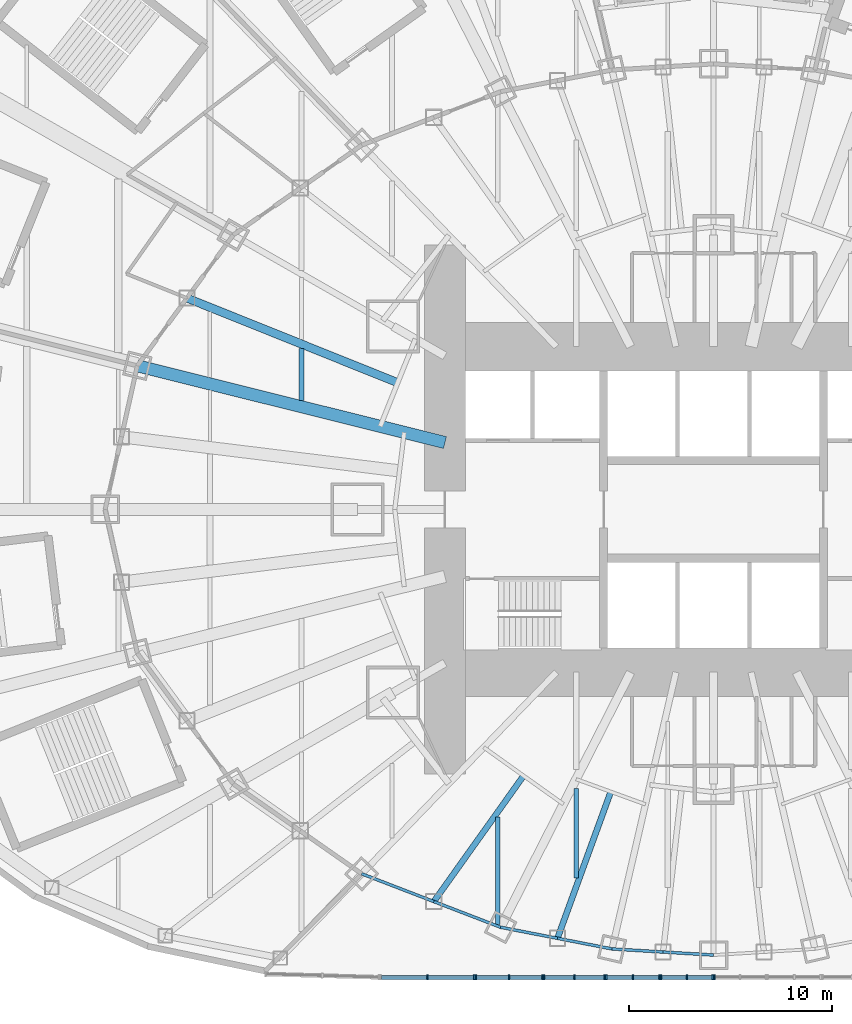
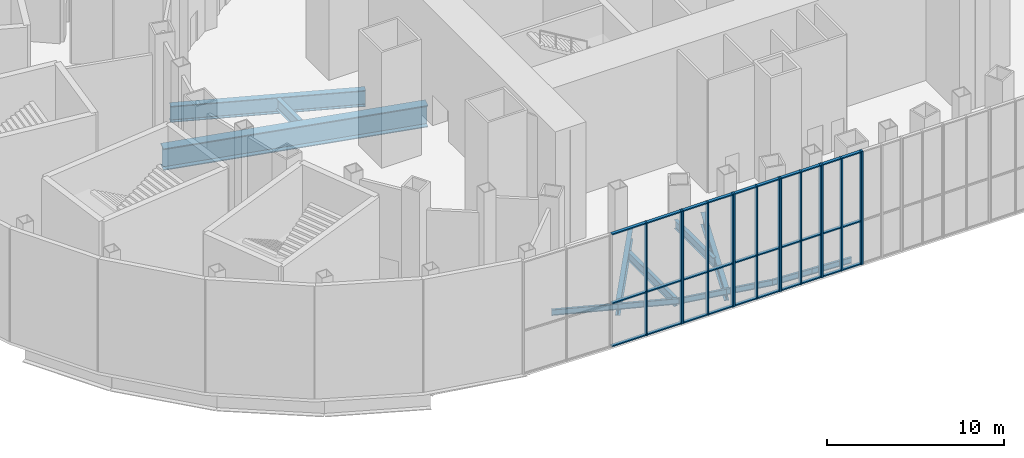
# One storey, part 3 of 74: 45 members, 13 beams, 6 elements without a shape of their own.
"""IFC4 building model written with IfcOpenShell, lengths in metres."""

from ifc_helpers import new_model, si_unit, direction, frame, origin, origin_2d, place, context, subcontext, project, spatial, rectangle, i_section, extrude, material, material_profile, profile_set, type_object, element, aggregate, save


model = new_model("IFC4")

# Units and contexts
model_context = context("Model", 3, precision=1e-05, world=origin(), true_north=direction((0.0, 1.0)))
body_context = subcontext(model_context, "Body", "Model", "MODEL_VIEW")
ifc_project = project(units=[si_unit("LENGTHUNIT", "METRE"), si_unit("AREAUNIT", "SQUARE_METRE"), si_unit("VOLUMEUNIT", "CUBIC_METRE"), si_unit("PLANEANGLEUNIT", "RADIAN"), si_unit("MASSUNIT", "GRAM", prefix="KILO")], contexts=[model_context])

# Site, building, storey
site_placement = place(None, origin())
site = spatial("IfcSite", under=ifc_project, at=site_placement, CompositionType="ELEMENT")
building_placement = place(site_placement, origin())
building = spatial("IfcBuilding", under=site, at=building_placement, Name="Lantaw Convention Tower", CompositionType="ELEMENT")
storey_placement = place(building_placement, frame((0.0, 0.0, 6.5)))
storey = spatial("IfcBuildingStorey", under=building, at=storey_placement, Name="L01", CompositionType="ELEMENT", Elevation=6.5)

# Beams
ifc_material_1 = material(Name="Steel ASTM A992", Category="steel")
ifc_material_profile_1 = material_profile(ifc_material_1, i_section(OverallWidth=0.140380859375, OverallDepth=0.40380859375, WebThickness=0.007080078125, FlangeThickness=0.01123046875, FilletRadius=0.01025390625, at=origin_2d()), Name="W16X31")
ifc_profile_set_1 = profile_set([ifc_material_profile_1], Name="Steel ASTM A992")
beam_type_1 = type_object("IfcBeamType", Name="Beam E W16X31", PredefinedType="SPANDREL", material=ifc_profile_set_1)
beam_1_placement = place(storey_placement, frame((-17.290771484375, -17.9052734375, -0.40185546875), z_axis=(0.933224646415, -0.359293416754, 0.0), x_axis=(0.359293416754, 0.933224646415, 0.0)))
element("IfcBeam", 1, at=beam_1_placement, inside=storey, type_object=beam_type_1, Name="Edge beam 16", PredefinedType="SPANDREL", context=body_context, shape_type="SweptSolid", body=[
    extrude(i_section(OverallWidth=0.140380859375, OverallDepth=0.40380859375, WebThickness=0.007080078125, FlangeThickness=0.01123046875, FilletRadius=0.01025390625, at=origin_2d()), origin(), (0.0, 0.0, 1.0), 3.799072265625),
])
beam_2_placement = place(storey_placement, frame((-13.745361328125, -19.270263671875, -0.40185546875), z_axis=(0.933241815012, -0.359248820058, 0.0), x_axis=(0.359248820058, 0.933241815012, 0.0)))
element("IfcBeam", 2, at=beam_2_placement, inside=storey, type_object=beam_type_1, Name="Edge beam 16", PredefinedType="SPANDREL", context=body_context, shape_type="SweptSolid", body=[
    extrude(i_section(OverallWidth=0.140380859375, OverallDepth=0.40380859375, WebThickness=0.007080078125, FlangeThickness=0.01123046875, FilletRadius=0.01025390625, at=origin_2d()), origin(), (0.0, 0.0, 1.0), 3.517578125),
])
beam_3_placement = place(storey_placement, frame((-10.462646484375, -20.533935546875, -0.40185546875), z_axis=(0.98163593748, -0.190763954266, 0.0), x_axis=(0.190763954266, 0.98163593748, 0.0)))
element("IfcBeam", 3, at=beam_3_placement, inside=storey, type_object=beam_type_1, Name="Edge beam 17", PredefinedType="SPANDREL", context=body_context, shape_type="SweptSolid", body=[
    extrude(i_section(OverallWidth=0.140380859375, OverallDepth=0.40380859375, WebThickness=0.007080078125, FlangeThickness=0.01123046875, FilletRadius=0.01025390625, at=origin_2d()), origin(), (0.0, 0.0, 1.0), 2.84375),
])
beam_4_placement = place(storey_placement, frame((-7.671142578125, -21.076416015625, -0.40185546875), z_axis=(0.981637218105, -0.190757364289, 0.0), x_axis=(0.190757364289, 0.981637218105, 0.0)))
element("IfcBeam", 4, at=beam_4_placement, inside=storey, type_object=beam_type_1, Name="Edge beam 17", PredefinedType="SPANDREL", context=body_context, shape_type="SweptSolid", body=[
    extrude(i_section(OverallWidth=0.140380859375, OverallDepth=0.40380859375, WebThickness=0.007080078125, FlangeThickness=0.01123046875, FilletRadius=0.01025390625, at=origin_2d()), origin(), (0.0, 0.0, 1.0), 2.735107421875),
])
beam_5_placement = place(storey_placement, frame((-4.986328125, -21.59814453125, -0.40185546875), z_axis=(0.998172405641, -0.060430527186, 0.0), x_axis=(0.060430527186, 0.998172405641, 0.0)))
element("IfcBeam", 5, at=beam_5_placement, inside=storey, type_object=beam_type_1, Name="Edge beam 18", PredefinedType="SPANDREL", context=body_context, shape_type="SweptSolid", body=[
    extrude(i_section(OverallWidth=0.140380859375, OverallDepth=0.40380859375, WebThickness=0.007080078125, FlangeThickness=0.01123046875, FilletRadius=0.01025390625, at=origin_2d()), origin(), (0.0, 0.0, 1.0), 2.512939453125),
])
beam_6_placement = place(storey_placement, frame((-2.47802734375, -21.75, -0.40185546875), z_axis=(0.998175328335, -0.060382231685, 0.0), x_axis=(0.060382231685, 0.998175328335, 0.0)))
element("IfcBeam", 6, at=beam_6_placement, inside=storey, type_object=beam_type_1, Name="Edge beam 18", PredefinedType="SPANDREL", context=body_context, shape_type="SweptSolid", body=[
    extrude(i_section(OverallWidth=0.140380859375, OverallDepth=0.40380859375, WebThickness=0.007080078125, FlangeThickness=0.01123046875, FilletRadius=0.01025390625, at=origin_2d()), origin(), (0.0, 0.0, 1.0), 2.482666015625),
])
ifc_material_2 = material(Name="Steel ASTM A572 Grade 50", Category="steel")
ifc_material_profile_2 = material_profile(ifc_material_2, i_section(OverallWidth=0.60009765625, OverallDepth=1.5, WebThickness=0.02490234375, FlangeThickness=0.06005859375, at=origin_2d()), Name="PG1500X600X25X60")
ifc_profile_set_2 = profile_set([ifc_material_profile_2], Name="Steel ASTM A572 Grade 50")
beam_type_2 = type_object("IfcBeamType", Name="Beam G PG1500X600X25X60", PredefinedType="BEAM", material=ifc_profile_set_2)
beam_7_placement = place(storey_placement, frame((-13.199951171875, 3.291015625, -0.949951171875), z_axis=(-0.970296233567, 0.241919860957, 0.0), x_axis=(-0.241919860957, -0.970296233567, 0.0)))
element("IfcBeam", 7, at=beam_7_placement, inside=storey, type_object=beam_type_2, Name="Floor girder on ray 12", PredefinedType="BEAM", context=body_context, shape_type="SweptSolid", body=[
    extrude(i_section(OverallWidth=0.60009765625, OverallDepth=1.5, WebThickness=0.02490234375, FlangeThickness=0.06005859375, at=origin_2d()), origin(), (0.0, 0.0, 1.0), 15.580810546875),
])
ifc_material_profile_3 = material_profile(ifc_material_1, i_section(OverallWidth=0.2919921875, OverallDepth=0.845703125, WebThickness=0.015380859375, FlangeThickness=0.0244140625, FilletRadius=0.01513671875, at=origin_2d()), Name="W33X141")
ifc_profile_set_3 = profile_set([ifc_material_profile_3], Name="Steel ASTM A992")
beam_type_3 = type_object("IfcBeamType", Name="Beam G W33X141", PredefinedType="BEAM", material=ifc_profile_set_3)
beam_8_placement = place(storey_placement, frame((-9.335693359375, -13.088134765625, -0.622802734375), z_axis=(-0.580702805158, -0.814115625745, 0.0), x_axis=(0.814115625745, -0.580702805158, 0.0)))
element("IfcBeam", 8, at=beam_8_placement, inside=storey, type_object=beam_type_3, Name="Floor girder on bisector 16", PredefinedType="BEAM", context=body_context, shape_type="SweptSolid", body=[
    extrude(i_section(OverallWidth=0.2919921875, OverallDepth=0.845703125, WebThickness=0.015380859375, FlangeThickness=0.0244140625, FilletRadius=0.01513671875, at=origin_2d()), origin(), (0.0, 0.0, 1.0), 7.59375),
])
beam_9_placement = place(storey_placement, frame((-5.04931640625, -13.873046875, -0.622802734375), z_axis=(-0.342021781151, -0.939692024664, 0.0), x_axis=(0.939692024664, -0.342021781151, 0.0)))
element("IfcBeam", 9, at=beam_9_placement, inside=storey, type_object=beam_type_3, Name="Floor girder on bisector 17", PredefinedType="BEAM", context=body_context, shape_type="SweptSolid", body=[
    extrude(i_section(OverallWidth=0.2919921875, OverallDepth=0.845703125, WebThickness=0.015380859375, FlangeThickness=0.0244140625, FilletRadius=0.01513671875, at=origin_2d()), origin(), (0.0, 0.0, 1.0), 7.665771484375),
])
ifc_material_profile_4 = material_profile(ifc_material_1, i_section(OverallWidth=0.40380859375, OverallDepth=1.11767578125, WebThickness=0.026123046875, FlangeThickness=0.044921875, FilletRadius=0.02001953125, at=origin_2d()), Name="W44X335")
ifc_profile_set_4 = profile_set([ifc_material_profile_4], Name="Steel ASTM A992")
beam_type_4 = type_object("IfcBeamType", Name="Beam G W44X335", PredefinedType="BEAM", material=ifc_profile_set_4)
beam_10_placement = place(storey_placement, frame((-15.52001953125, 6.23046875, -0.7587890625), z_axis=(-0.928018900171, 0.372533113864, 0.0), x_axis=(-0.372533113864, -0.928018900171, 0.0)))
element("IfcBeam", 10, at=beam_10_placement, inside=storey, type_object=beam_type_4, Name="Floor girder on bisector 11", PredefinedType="BEAM", context=body_context, shape_type="SweptSolid", body=[
    extrude(i_section(OverallWidth=0.40380859375, OverallDepth=1.11767578125, WebThickness=0.026123046875, FlangeThickness=0.044921875, FilletRadius=0.02001953125, at=origin_2d()), origin(), (0.0, 0.0, 1.0), 11.161376953125),
])
ifc_material_profile_5 = material_profile(ifc_material_1, i_section(OverallWidth=0.227783203125, OverallDepth=0.60205078125, WebThickness=0.010498046875, FlangeThickness=0.014892578125, FilletRadius=0.012939453125, at=origin_2d()), Name="W24X68")
ifc_profile_set_5 = profile_set([ifc_material_profile_5], Name="Steel ASTM A992")
beam_type_5 = type_object("IfcBeamType", Name="Beam J W24X68", PredefinedType="JOIST", material=ifc_profile_set_5)
beam_11_placement = place(storey_placement, frame((-6.75, -18.118408203125, -0.5009765625), z_axis=(0.0, 1.0, 0.0), x_axis=(-1.0, 0.0, 0.0)))
element("IfcBeam", 11, at=beam_11_placement, inside=storey, type_object=beam_type_5, Name="Floor joist", PredefinedType="JOIST", context=body_context, shape_type="SweptSolid", body=[
    extrude(i_section(OverallWidth=0.227783203125, OverallDepth=0.60205078125, WebThickness=0.010498046875, FlangeThickness=0.014892578125, FilletRadius=0.012939453125, at=origin_2d()), origin(), (0.0, 0.0, 1.0), 4.397216796875),
])
ifc_material_profile_6 = material_profile(ifc_material_1, i_section(OverallWidth=0.22900390625, OverallDepth=0.612060546875, WebThickness=0.011962890625, FlangeThickness=0.01953125, FilletRadius=0.0126953125, at=origin_2d()), Name="W24X84")
ifc_profile_set_6 = profile_set([ifc_material_profile_6], Name="Steel ASTM A992")
beam_type_6 = type_object("IfcBeamType", Name="Beam J W24X84", PredefinedType="JOIST", material=ifc_profile_set_6)
beam_12_placement = place(storey_placement, frame((-10.60009765625, -20.40576171875, -0.506103515625), z_axis=(0.0, 1.0, 0.0), x_axis=(-1.0, 0.0, 0.0)))
element("IfcBeam", 12, at=beam_12_placement, inside=storey, type_object=beam_type_6, Name="Floor joist", PredefinedType="JOIST", context=body_context, shape_type="SweptSolid", body=[
    extrude(i_section(OverallWidth=0.22900390625, OverallDepth=0.612060546875, WebThickness=0.011962890625, FlangeThickness=0.01953125, FilletRadius=0.0126953125, at=origin_2d()), origin(), (0.0, 0.0, 1.0), 5.293701171875),
])
ifc_material_profile_7 = material_profile(ifc_material_1, i_section(OverallWidth=0.2666015625, OverallDepth=0.7568359375, WebThickness=0.013916015625, FlangeThickness=0.019287109375, FilletRadius=0.0126953125, at=origin_2d()), Name="W30X108")
ifc_profile_set_7 = profile_set([ifc_material_profile_7], Name="Steel ASTM A992")
beam_type_7 = type_object("IfcBeamType", Name="Beam J W30X108", PredefinedType="JOIST", material=ifc_profile_set_7)
beam_13_placement = place(storey_placement, frame((-20.25, 5.358154296875, -0.578369140625), z_axis=(0.0, 1.0, 0.0), x_axis=(-1.0, 0.0, 0.0)))
element("IfcBeam", 13, at=beam_13_placement, inside=storey, type_object=beam_type_7, Name="Floor joist", PredefinedType="JOIST", context=body_context, shape_type="SweptSolid", body=[
    extrude(i_section(OverallWidth=0.2666015625, OverallDepth=0.7568359375, WebThickness=0.013916015625, FlangeThickness=0.019287109375, FilletRadius=0.0126953125, at=origin_2d()), origin(), (0.0, 0.0, 1.0), 2.553466796875),
])

# Curtain wall, members
ifc_material_3 = material(Name="Aluminium framed curtain wall", Category="aluminium")
curtain_wall_type = type_object("IfcCurtainWallType", Name="Podium storefront curtain wall, pale aluminium", PredefinedType="USERDEFINED", material=ifc_material_3)
curtain_wall_1_placement = place(storey_placement, origin())
curtain_wall_1 = element("IfcCurtainWall", 14, at=curtain_wall_1_placement, inside=storey, type_object=curtain_wall_type, Name="Podium storefront curtain wall, pale aluminium L01", ObjectType="STOREFRONT", PredefinedType="USERDEFINED")
ifc_material_4 = material(Name="Aluminium 6063-T6", Category="aluminium")
ifc_material_profile_8 = material_profile(ifc_material_4, rectangle(XDim=0.25, YDim=0.080078125, at=origin_2d()), Name="CW-P mullion 80x250")
ifc_profile_set_8 = profile_set([ifc_material_profile_8], Name="Aluminium 6063-T6")
member_type_1 = type_object("IfcMemberType", Name="CW-P mullion 80x250", PredefinedType="MULLION", material=ifc_profile_set_8)
member_1_placement = place(storey_placement, frame((-14.0625, -23.0, 0.0), z_axis=(0.0, 0.0, 1.0), x_axis=(0.0, 1.0, 0.0)))
member_1 = element("IfcMember", 15, at=member_1_placement, type_object=member_type_1, Name="CW-P mullion 2", PredefinedType="MULLION", context=body_context, shape_type="SweptSolid", body=[
    extrude(rectangle(XDim=0.25, YDim=0.080078125, at=origin_2d()), origin(), (0.0, 0.0, 1.0), 7.800048828125),
])
member_2_placement = place(storey_placement, frame((-11.759033203125, -23.0, 0.0), z_axis=(0.0, 0.0, 1.0), x_axis=(0.0, 1.0, 0.0)))
member_2 = element("IfcMember", 16, at=member_2_placement, type_object=member_type_1, Name="CW-P mullion 3", PredefinedType="MULLION", context=body_context, shape_type="SweptSolid", body=[
    extrude(rectangle(XDim=0.25, YDim=0.080078125, at=origin_2d()), origin(), (0.0, 0.0, 1.0), 7.800048828125),
])

curtain_wall_2_placement = place(storey_placement, origin())
curtain_wall_2 = element("IfcCurtainWall", 17, at=curtain_wall_2_placement, inside=storey, type_object=curtain_wall_type, Name="Podium storefront curtain wall, pale aluminium L01", ObjectType="STOREFRONT", PredefinedType="USERDEFINED")
member_3_placement = place(storey_placement, frame((-11.67919921875, -23.0, 0.0), z_axis=(0.0, 0.0, 1.0), x_axis=(0.0, 1.0, 0.0)))
member_3 = element("IfcMember", 18, at=member_3_placement, type_object=member_type_1, Name="CW-P mullion 1", PredefinedType="MULLION", context=body_context, shape_type="SweptSolid", body=[
    extrude(rectangle(XDim=0.25, YDim=0.080078125, at=origin_2d()), origin(), (0.0, 0.0, 1.0), 7.800048828125),
])
member_4_placement = place(storey_placement, frame((-10.045166015625, -23.0, 0.0), z_axis=(0.0, 0.0, 1.0), x_axis=(0.0, 1.0, 0.0)))
member_4 = element("IfcMember", 19, at=member_4_placement, type_object=member_type_1, Name="CW-P mullion 2", PredefinedType="MULLION", context=body_context, shape_type="SweptSolid", body=[
    extrude(rectangle(XDim=0.25, YDim=0.080078125, at=origin_2d()), origin(), (0.0, 0.0, 1.0), 7.800048828125),
])
member_5_placement = place(storey_placement, frame((-8.411376953125, -23.0, 0.0), z_axis=(0.0, 0.0, 1.0), x_axis=(0.0, 1.0, 0.0)))
member_5 = element("IfcMember", 20, at=member_5_placement, type_object=member_type_1, Name="CW-P mullion 3", PredefinedType="MULLION", context=body_context, shape_type="SweptSolid", body=[
    extrude(rectangle(XDim=0.25, YDim=0.080078125, at=origin_2d()), origin(), (0.0, 0.0, 1.0), 7.800048828125),
])

curtain_wall_3_placement = place(storey_placement, origin())
curtain_wall_3 = element("IfcCurtainWall", 21, at=curtain_wall_3_placement, inside=storey, type_object=curtain_wall_type, Name="Podium storefront curtain wall, pale aluminium L01", ObjectType="STOREFRONT", PredefinedType="USERDEFINED")
member_6_placement = place(storey_placement, frame((-8.331298828125, -23.0, 0.0), z_axis=(0.0, 0.0, 1.0), x_axis=(0.0, 1.0, 0.0)))
member_6 = element("IfcMember", 22, at=member_6_placement, type_object=member_type_1, Name="CW-P mullion 1", PredefinedType="MULLION", context=body_context, shape_type="SweptSolid", body=[
    extrude(rectangle(XDim=0.25, YDim=0.080078125, at=origin_2d()), origin(), (0.0, 0.0, 1.0), 7.800048828125),
])
member_7_placement = place(storey_placement, frame((-6.840576171875, -23.0, 0.0), z_axis=(0.0, 0.0, 1.0), x_axis=(0.0, 1.0, 0.0)))
member_7 = element("IfcMember", 23, at=member_7_placement, type_object=member_type_1, Name="CW-P mullion 2", PredefinedType="MULLION", context=body_context, shape_type="SweptSolid", body=[
    extrude(rectangle(XDim=0.25, YDim=0.080078125, at=origin_2d()), origin(), (0.0, 0.0, 1.0), 7.800048828125),
])
member_8_placement = place(storey_placement, frame((-5.349853515625, -23.0, 0.0), z_axis=(0.0, 0.0, 1.0), x_axis=(0.0, 1.0, 0.0)))
member_8 = element("IfcMember", 24, at=member_8_placement, type_object=member_type_1, Name="CW-P mullion 3", PredefinedType="MULLION", context=body_context, shape_type="SweptSolid", body=[
    extrude(rectangle(XDim=0.25, YDim=0.080078125, at=origin_2d()), origin(), (0.0, 0.0, 1.0), 7.800048828125),
])

curtain_wall_4_placement = place(storey_placement, origin())
curtain_wall_4 = element("IfcCurtainWall", 25, at=curtain_wall_4_placement, inside=storey, type_object=curtain_wall_type, Name="Podium storefront curtain wall, pale aluminium L01", ObjectType="STOREFRONT", PredefinedType="USERDEFINED")
member_9_placement = place(storey_placement, frame((-5.27001953125, -23.0, 0.0), z_axis=(0.0, 0.0, 1.0), x_axis=(0.0, 1.0, 0.0)))
member_9 = element("IfcMember", 26, at=member_9_placement, type_object=member_type_1, Name="CW-P mullion 1", PredefinedType="MULLION", context=body_context, shape_type="SweptSolid", body=[
    extrude(rectangle(XDim=0.25, YDim=0.080078125, at=origin_2d()), origin(), (0.0, 0.0, 1.0), 7.800048828125),
])
member_10_placement = place(storey_placement, frame((-3.96533203125, -23.0, 0.0), z_axis=(0.0, 0.0, 1.0), x_axis=(0.0, 1.0, 0.0)))
member_10 = element("IfcMember", 27, at=member_10_placement, type_object=member_type_1, Name="CW-P mullion 2", PredefinedType="MULLION", context=body_context, shape_type="SweptSolid", body=[
    extrude(rectangle(XDim=0.25, YDim=0.080078125, at=origin_2d()), origin(), (0.0, 0.0, 1.0), 7.800048828125),
])
member_11_placement = place(storey_placement, frame((-2.660400390625, -23.0, 0.0), z_axis=(0.0, 0.0, 1.0), x_axis=(0.0, 1.0, 0.0)))
member_11 = element("IfcMember", 28, at=member_11_placement, type_object=member_type_1, Name="CW-P mullion 3", PredefinedType="MULLION", context=body_context, shape_type="SweptSolid", body=[
    extrude(rectangle(XDim=0.25, YDim=0.080078125, at=origin_2d()), origin(), (0.0, 0.0, 1.0), 7.800048828125),
])

curtain_wall_5_placement = place(storey_placement, origin())
curtain_wall_5 = element("IfcCurtainWall", 29, at=curtain_wall_5_placement, inside=storey, type_object=curtain_wall_type, Name="Podium storefront curtain wall, pale aluminium L01", ObjectType="STOREFRONT", PredefinedType="USERDEFINED")
member_12_placement = place(storey_placement, frame((-2.58056640625, -23.0, 0.0), z_axis=(0.0, 0.0, 1.0), x_axis=(0.0, 1.0, 0.0)))
member_12 = element("IfcMember", 30, at=member_12_placement, type_object=member_type_1, Name="CW-P mullion 1", PredefinedType="MULLION", context=body_context, shape_type="SweptSolid", body=[
    extrude(rectangle(XDim=0.25, YDim=0.080078125, at=origin_2d()), origin(), (0.0, 0.0, 1.0), 7.800048828125),
])
member_13_placement = place(storey_placement, frame((-1.310302734375, -23.0, 0.0), z_axis=(0.0, 0.0, 1.0), x_axis=(0.0, 1.0, 0.0)))
member_13 = element("IfcMember", 31, at=member_13_placement, type_object=member_type_1, Name="CW-P mullion 2", PredefinedType="MULLION", context=body_context, shape_type="SweptSolid", body=[
    extrude(rectangle(XDim=0.25, YDim=0.080078125, at=origin_2d()), origin(), (0.0, 0.0, 1.0), 7.800048828125),
])
member_14_placement = place(storey_placement, frame((-0.0400390625, -23.0, 0.0), z_axis=(0.0, 0.0, 1.0), x_axis=(0.0, 1.0, 0.0)))
member_14 = element("IfcMember", 32, at=member_14_placement, type_object=member_type_1, Name="CW-P mullion 3", PredefinedType="MULLION", context=body_context, shape_type="SweptSolid", body=[
    extrude(rectangle(XDim=0.25, YDim=0.080078125, at=origin_2d()), origin(), (0.0, 0.0, 1.0), 7.800048828125),
])

# Curtain wall, member
curtain_wall_6_placement = place(storey_placement, origin())
curtain_wall_6 = element("IfcCurtainWall", 33, at=curtain_wall_6_placement, inside=storey, type_object=curtain_wall_type, Name="Podium storefront curtain wall, pale aluminium L01", ObjectType="STOREFRONT", PredefinedType="USERDEFINED")
member_15_placement = place(storey_placement, frame((0.0400390625, -23.0, 0.0), z_axis=(0.0, 0.0, 1.0), x_axis=(0.0, 1.0, 0.0)))
member_15 = element("IfcMember", 34, at=member_15_placement, type_object=member_type_1, Name="CW-P mullion 1", PredefinedType="MULLION", context=body_context, shape_type="SweptSolid", body=[
    extrude(rectangle(XDim=0.25, YDim=0.080078125, at=origin_2d()), origin(), (0.0, 0.0, 1.0), 7.800048828125),
])
aggregate(curtain_wall_6, [member_15])

# Member
ifc_material_profile_9 = material_profile(ifc_material_4, rectangle(XDim=0.199951171875, YDim=0.080078125, at=origin_2d()), Name="CW-P transom 80x200")
ifc_profile_set_9 = profile_set([ifc_material_profile_9], Name="Aluminium 6063-T6")
member_type_2 = type_object("IfcMemberType", Name="CW-P transom 80x200", PredefinedType="USERDEFINED", material=ifc_profile_set_9)
member_16_placement = place(storey_placement, frame((-16.32568359375, -23.0, 0.0400390625), z_axis=(1.0, 0.0, 0.0), x_axis=(0.0, 1.0, 0.0)))
member_16 = element("IfcMember", 35, at=member_16_placement, type_object=member_type_2, Name="CW-P transom 1.1", ObjectType="TRANSOM", PredefinedType="USERDEFINED", context=body_context, shape_type="SweptSolid", body=[
    extrude(rectangle(XDim=0.199951171875, YDim=0.080078125, at=origin_2d()), origin(), (0.0, 0.0, 1.0), 2.223388671875),
])

member_17_placement = place(storey_placement, frame((-16.32568359375, -23.0, 3.0), z_axis=(1.0, 0.0, 0.0), x_axis=(0.0, 1.0, 0.0)))
member_17 = element("IfcMember", 36, at=member_17_placement, type_object=member_type_2, Name="CW-P transom 1.2", ObjectType="TRANSOM", PredefinedType="USERDEFINED", context=body_context, shape_type="SweptSolid", body=[
    extrude(rectangle(XDim=0.199951171875, YDim=0.080078125, at=origin_2d()), origin(), (0.0, 0.0, 1.0), 2.223388671875),
])

member_18_placement = place(storey_placement, frame((-16.32568359375, -23.0, 7.760009765625), z_axis=(1.0, 0.0, 0.0), x_axis=(0.0, 1.0, 0.0)))
member_18 = element("IfcMember", 37, at=member_18_placement, type_object=member_type_2, Name="CW-P transom 1.3", ObjectType="TRANSOM", PredefinedType="USERDEFINED", context=body_context, shape_type="SweptSolid", body=[
    extrude(rectangle(XDim=0.199951171875, YDim=0.080078125, at=origin_2d()), origin(), (0.0, 0.0, 1.0), 2.223388671875),
])

member_19_placement = place(storey_placement, frame((-14.0224609375, -23.0, 0.0400390625), z_axis=(1.0, 0.0, 0.0), x_axis=(0.0, 1.0, 0.0)))
member_19 = element("IfcMember", 38, at=member_19_placement, type_object=member_type_2, Name="CW-P transom 2.1", ObjectType="TRANSOM", PredefinedType="USERDEFINED", context=body_context, shape_type="SweptSolid", body=[
    extrude(rectangle(XDim=0.199951171875, YDim=0.080078125, at=origin_2d()), origin(), (0.0, 0.0, 1.0), 2.223388671875),
])

member_20_placement = place(storey_placement, frame((-14.0224609375, -23.0, 3.0), z_axis=(1.0, 0.0, 0.0), x_axis=(0.0, 1.0, 0.0)))
member_20 = element("IfcMember", 39, at=member_20_placement, type_object=member_type_2, Name="CW-P transom 2.2", ObjectType="TRANSOM", PredefinedType="USERDEFINED", context=body_context, shape_type="SweptSolid", body=[
    extrude(rectangle(XDim=0.199951171875, YDim=0.080078125, at=origin_2d()), origin(), (0.0, 0.0, 1.0), 2.223388671875),
])

member_21_placement = place(storey_placement, frame((-14.0224609375, -23.0, 7.760009765625), z_axis=(1.0, 0.0, 0.0), x_axis=(0.0, 1.0, 0.0)))
member_21 = element("IfcMember", 40, at=member_21_placement, type_object=member_type_2, Name="CW-P transom 2.3", ObjectType="TRANSOM", PredefinedType="USERDEFINED", context=body_context, shape_type="SweptSolid", body=[
    extrude(rectangle(XDim=0.199951171875, YDim=0.080078125, at=origin_2d()), origin(), (0.0, 0.0, 1.0), 2.223388671875),
])

aggregate(curtain_wall_1, [member_1, member_2, member_16, member_17, member_18, member_19, member_20, member_21])

member_22_placement = place(storey_placement, frame((-11.63916015625, -23.0, 0.0400390625), z_axis=(1.0, 0.0, 0.0), x_axis=(0.0, 1.0, 0.0)))
member_22 = element("IfcMember", 41, at=member_22_placement, type_object=member_type_2, Name="CW-P transom 1.1", ObjectType="TRANSOM", PredefinedType="USERDEFINED", context=body_context, shape_type="SweptSolid", body=[
    extrude(rectangle(XDim=0.199951171875, YDim=0.080078125, at=origin_2d()), origin(), (0.0, 0.0, 1.0), 1.553955078125),
])

member_23_placement = place(storey_placement, frame((-11.63916015625, -23.0, 3.0), z_axis=(1.0, 0.0, 0.0), x_axis=(0.0, 1.0, 0.0)))
member_23 = element("IfcMember", 42, at=member_23_placement, type_object=member_type_2, Name="CW-P transom 1.2", ObjectType="TRANSOM", PredefinedType="USERDEFINED", context=body_context, shape_type="SweptSolid", body=[
    extrude(rectangle(XDim=0.199951171875, YDim=0.080078125, at=origin_2d()), origin(), (0.0, 0.0, 1.0), 1.553955078125),
])

member_24_placement = place(storey_placement, frame((-11.63916015625, -23.0, 7.760009765625), z_axis=(1.0, 0.0, 0.0), x_axis=(0.0, 1.0, 0.0)))
member_24 = element("IfcMember", 43, at=member_24_placement, type_object=member_type_2, Name="CW-P transom 1.3", ObjectType="TRANSOM", PredefinedType="USERDEFINED", context=body_context, shape_type="SweptSolid", body=[
    extrude(rectangle(XDim=0.199951171875, YDim=0.080078125, at=origin_2d()), origin(), (0.0, 0.0, 1.0), 1.553955078125),
])

member_25_placement = place(storey_placement, frame((-10.005126953125, -23.0, 0.0400390625), z_axis=(1.0, 0.0, 0.0), x_axis=(0.0, 1.0, 0.0)))
member_25 = element("IfcMember", 44, at=member_25_placement, type_object=member_type_2, Name="CW-P transom 2.1", ObjectType="TRANSOM", PredefinedType="USERDEFINED", context=body_context, shape_type="SweptSolid", body=[
    extrude(rectangle(XDim=0.199951171875, YDim=0.080078125, at=origin_2d()), origin(), (0.0, 0.0, 1.0), 1.5537109375),
])

member_26_placement = place(storey_placement, frame((-10.005126953125, -23.0, 3.0), z_axis=(1.0, 0.0, 0.0), x_axis=(0.0, 1.0, 0.0)))
member_26 = element("IfcMember", 45, at=member_26_placement, type_object=member_type_2, Name="CW-P transom 2.2", ObjectType="TRANSOM", PredefinedType="USERDEFINED", context=body_context, shape_type="SweptSolid", body=[
    extrude(rectangle(XDim=0.199951171875, YDim=0.080078125, at=origin_2d()), origin(), (0.0, 0.0, 1.0), 1.5537109375),
])

member_27_placement = place(storey_placement, frame((-10.005126953125, -23.0, 7.760009765625), z_axis=(1.0, 0.0, 0.0), x_axis=(0.0, 1.0, 0.0)))
member_27 = element("IfcMember", 46, at=member_27_placement, type_object=member_type_2, Name="CW-P transom 2.3", ObjectType="TRANSOM", PredefinedType="USERDEFINED", context=body_context, shape_type="SweptSolid", body=[
    extrude(rectangle(XDim=0.199951171875, YDim=0.080078125, at=origin_2d()), origin(), (0.0, 0.0, 1.0), 1.5537109375),
])

aggregate(curtain_wall_2, [member_3, member_4, member_5, member_22, member_23, member_24, member_25, member_26, member_27])

member_28_placement = place(storey_placement, frame((-8.291259765625, -23.0, 0.0400390625), z_axis=(1.0, 0.0, 0.0), x_axis=(0.0, 1.0, 0.0)))
member_28 = element("IfcMember", 47, at=member_28_placement, type_object=member_type_2, Name="CW-P transom 1.1", ObjectType="TRANSOM", PredefinedType="USERDEFINED", context=body_context, shape_type="SweptSolid", body=[
    extrude(rectangle(XDim=0.199951171875, YDim=0.080078125, at=origin_2d()), origin(), (0.0, 0.0, 1.0), 1.41064453125),
])

member_29_placement = place(storey_placement, frame((-8.291259765625, -23.0, 3.0), z_axis=(1.0, 0.0, 0.0), x_axis=(0.0, 1.0, 0.0)))
member_29 = element("IfcMember", 48, at=member_29_placement, type_object=member_type_2, Name="CW-P transom 1.2", ObjectType="TRANSOM", PredefinedType="USERDEFINED", context=body_context, shape_type="SweptSolid", body=[
    extrude(rectangle(XDim=0.199951171875, YDim=0.080078125, at=origin_2d()), origin(), (0.0, 0.0, 1.0), 1.41064453125),
])

member_30_placement = place(storey_placement, frame((-8.291259765625, -23.0, 7.760009765625), z_axis=(1.0, 0.0, 0.0), x_axis=(0.0, 1.0, 0.0)))
member_30 = element("IfcMember", 49, at=member_30_placement, type_object=member_type_2, Name="CW-P transom 1.3", ObjectType="TRANSOM", PredefinedType="USERDEFINED", context=body_context, shape_type="SweptSolid", body=[
    extrude(rectangle(XDim=0.199951171875, YDim=0.080078125, at=origin_2d()), origin(), (0.0, 0.0, 1.0), 1.41064453125),
])

member_31_placement = place(storey_placement, frame((-6.800537109375, -23.0, 0.0400390625), z_axis=(1.0, 0.0, 0.0), x_axis=(0.0, 1.0, 0.0)))
member_31 = element("IfcMember", 50, at=member_31_placement, type_object=member_type_2, Name="CW-P transom 2.1", ObjectType="TRANSOM", PredefinedType="USERDEFINED", context=body_context, shape_type="SweptSolid", body=[
    extrude(rectangle(XDim=0.199951171875, YDim=0.080078125, at=origin_2d()), origin(), (0.0, 0.0, 1.0), 1.41064453125),
])

member_32_placement = place(storey_placement, frame((-6.800537109375, -23.0, 3.0), z_axis=(1.0, 0.0, 0.0), x_axis=(0.0, 1.0, 0.0)))
member_32 = element("IfcMember", 51, at=member_32_placement, type_object=member_type_2, Name="CW-P transom 2.2", ObjectType="TRANSOM", PredefinedType="USERDEFINED", context=body_context, shape_type="SweptSolid", body=[
    extrude(rectangle(XDim=0.199951171875, YDim=0.080078125, at=origin_2d()), origin(), (0.0, 0.0, 1.0), 1.41064453125),
])

member_33_placement = place(storey_placement, frame((-6.800537109375, -23.0, 7.760009765625), z_axis=(1.0, 0.0, 0.0), x_axis=(0.0, 1.0, 0.0)))
member_33 = element("IfcMember", 52, at=member_33_placement, type_object=member_type_2, Name="CW-P transom 2.3", ObjectType="TRANSOM", PredefinedType="USERDEFINED", context=body_context, shape_type="SweptSolid", body=[
    extrude(rectangle(XDim=0.199951171875, YDim=0.080078125, at=origin_2d()), origin(), (0.0, 0.0, 1.0), 1.41064453125),
])

aggregate(curtain_wall_3, [member_6, member_7, member_8, member_28, member_29, member_30, member_31, member_32, member_33])

member_34_placement = place(storey_placement, frame((-5.22998046875, -23.0, 0.0400390625), z_axis=(1.0, 0.0, 0.0), x_axis=(0.0, 1.0, 0.0)))
member_34 = element("IfcMember", 53, at=member_34_placement, type_object=member_type_2, Name="CW-P transom 1.1", ObjectType="TRANSOM", PredefinedType="USERDEFINED", context=body_context, shape_type="SweptSolid", body=[
    extrude(rectangle(XDim=0.199951171875, YDim=0.080078125, at=origin_2d()), origin(), (0.0, 0.0, 1.0), 1.224853515625),
])

member_35_placement = place(storey_placement, frame((-5.22998046875, -23.0, 3.0), z_axis=(1.0, 0.0, 0.0), x_axis=(0.0, 1.0, 0.0)))
member_35 = element("IfcMember", 54, at=member_35_placement, type_object=member_type_2, Name="CW-P transom 1.2", ObjectType="TRANSOM", PredefinedType="USERDEFINED", context=body_context, shape_type="SweptSolid", body=[
    extrude(rectangle(XDim=0.199951171875, YDim=0.080078125, at=origin_2d()), origin(), (0.0, 0.0, 1.0), 1.224853515625),
])

member_36_placement = place(storey_placement, frame((-5.22998046875, -23.0, 7.760009765625), z_axis=(1.0, 0.0, 0.0), x_axis=(0.0, 1.0, 0.0)))
member_36 = element("IfcMember", 55, at=member_36_placement, type_object=member_type_2, Name="CW-P transom 1.3", ObjectType="TRANSOM", PredefinedType="USERDEFINED", context=body_context, shape_type="SweptSolid", body=[
    extrude(rectangle(XDim=0.199951171875, YDim=0.080078125, at=origin_2d()), origin(), (0.0, 0.0, 1.0), 1.224853515625),
])

member_37_placement = place(storey_placement, frame((-3.92529296875, -23.0, 0.0400390625), z_axis=(1.0, 0.0, 0.0), x_axis=(0.0, 1.0, 0.0)))
member_37 = element("IfcMember", 56, at=member_37_placement, type_object=member_type_2, Name="CW-P transom 2.1", ObjectType="TRANSOM", PredefinedType="USERDEFINED", context=body_context, shape_type="SweptSolid", body=[
    extrude(rectangle(XDim=0.199951171875, YDim=0.080078125, at=origin_2d()), origin(), (0.0, 0.0, 1.0), 1.224853515625),
])

member_38_placement = place(storey_placement, frame((-3.92529296875, -23.0, 3.0), z_axis=(1.0, 0.0, 0.0), x_axis=(0.0, 1.0, 0.0)))
member_38 = element("IfcMember", 57, at=member_38_placement, type_object=member_type_2, Name="CW-P transom 2.2", ObjectType="TRANSOM", PredefinedType="USERDEFINED", context=body_context, shape_type="SweptSolid", body=[
    extrude(rectangle(XDim=0.199951171875, YDim=0.080078125, at=origin_2d()), origin(), (0.0, 0.0, 1.0), 1.224853515625),
])

member_39_placement = place(storey_placement, frame((-3.92529296875, -23.0, 7.760009765625), z_axis=(1.0, 0.0, 0.0), x_axis=(0.0, 1.0, 0.0)))
member_39 = element("IfcMember", 58, at=member_39_placement, type_object=member_type_2, Name="CW-P transom 2.3", ObjectType="TRANSOM", PredefinedType="USERDEFINED", context=body_context, shape_type="SweptSolid", body=[
    extrude(rectangle(XDim=0.199951171875, YDim=0.080078125, at=origin_2d()), origin(), (0.0, 0.0, 1.0), 1.224853515625),
])

aggregate(curtain_wall_4, [member_9, member_10, member_11, member_34, member_35, member_36, member_37, member_38, member_39])

member_40_placement = place(storey_placement, frame((-2.54052734375, -23.0, 0.0400390625), z_axis=(1.0, 0.0, 0.0), x_axis=(0.0, 1.0, 0.0)))
member_40 = element("IfcMember", 59, at=member_40_placement, type_object=member_type_2, Name="CW-P transom 1.1", ObjectType="TRANSOM", PredefinedType="USERDEFINED", context=body_context, shape_type="SweptSolid", body=[
    extrude(rectangle(XDim=0.199951171875, YDim=0.080078125, at=origin_2d()), origin(), (0.0, 0.0, 1.0), 1.190185546875),
])

member_41_placement = place(storey_placement, frame((-2.54052734375, -23.0, 3.0), z_axis=(1.0, 0.0, 0.0), x_axis=(0.0, 1.0, 0.0)))
member_41 = element("IfcMember", 60, at=member_41_placement, type_object=member_type_2, Name="CW-P transom 1.2", ObjectType="TRANSOM", PredefinedType="USERDEFINED", context=body_context, shape_type="SweptSolid", body=[
    extrude(rectangle(XDim=0.199951171875, YDim=0.080078125, at=origin_2d()), origin(), (0.0, 0.0, 1.0), 1.190185546875),
])

member_42_placement = place(storey_placement, frame((-2.54052734375, -23.0, 7.760009765625), z_axis=(1.0, 0.0, 0.0), x_axis=(0.0, 1.0, 0.0)))
member_42 = element("IfcMember", 61, at=member_42_placement, type_object=member_type_2, Name="CW-P transom 1.3", ObjectType="TRANSOM", PredefinedType="USERDEFINED", context=body_context, shape_type="SweptSolid", body=[
    extrude(rectangle(XDim=0.199951171875, YDim=0.080078125, at=origin_2d()), origin(), (0.0, 0.0, 1.0), 1.190185546875),
])

member_43_placement = place(storey_placement, frame((-1.270263671875, -23.0, 0.0400390625), z_axis=(1.0, 0.0, 0.0), x_axis=(0.0, 1.0, 0.0)))
member_43 = element("IfcMember", 62, at=member_43_placement, type_object=member_type_2, Name="CW-P transom 2.1", ObjectType="TRANSOM", PredefinedType="USERDEFINED", context=body_context, shape_type="SweptSolid", body=[
    extrude(rectangle(XDim=0.199951171875, YDim=0.080078125, at=origin_2d()), origin(), (0.0, 0.0, 1.0), 1.190185546875),
])

member_44_placement = place(storey_placement, frame((-1.270263671875, -23.0, 3.0), z_axis=(1.0, 0.0, 0.0), x_axis=(0.0, 1.0, 0.0)))
member_44 = element("IfcMember", 63, at=member_44_placement, type_object=member_type_2, Name="CW-P transom 2.2", ObjectType="TRANSOM", PredefinedType="USERDEFINED", context=body_context, shape_type="SweptSolid", body=[
    extrude(rectangle(XDim=0.199951171875, YDim=0.080078125, at=origin_2d()), origin(), (0.0, 0.0, 1.0), 1.190185546875),
])

member_45_placement = place(storey_placement, frame((-1.270263671875, -23.0, 7.760009765625), z_axis=(1.0, 0.0, 0.0), x_axis=(0.0, 1.0, 0.0)))
member_45 = element("IfcMember", 64, at=member_45_placement, type_object=member_type_2, Name="CW-P transom 2.3", ObjectType="TRANSOM", PredefinedType="USERDEFINED", context=body_context, shape_type="SweptSolid", body=[
    extrude(rectangle(XDim=0.199951171875, YDim=0.080078125, at=origin_2d()), origin(), (0.0, 0.0, 1.0), 1.190185546875),
])

aggregate(curtain_wall_5, [member_12, member_13, member_14, member_40, member_41, member_42, member_43, member_44, member_45])

save(model, "model.ifc")
